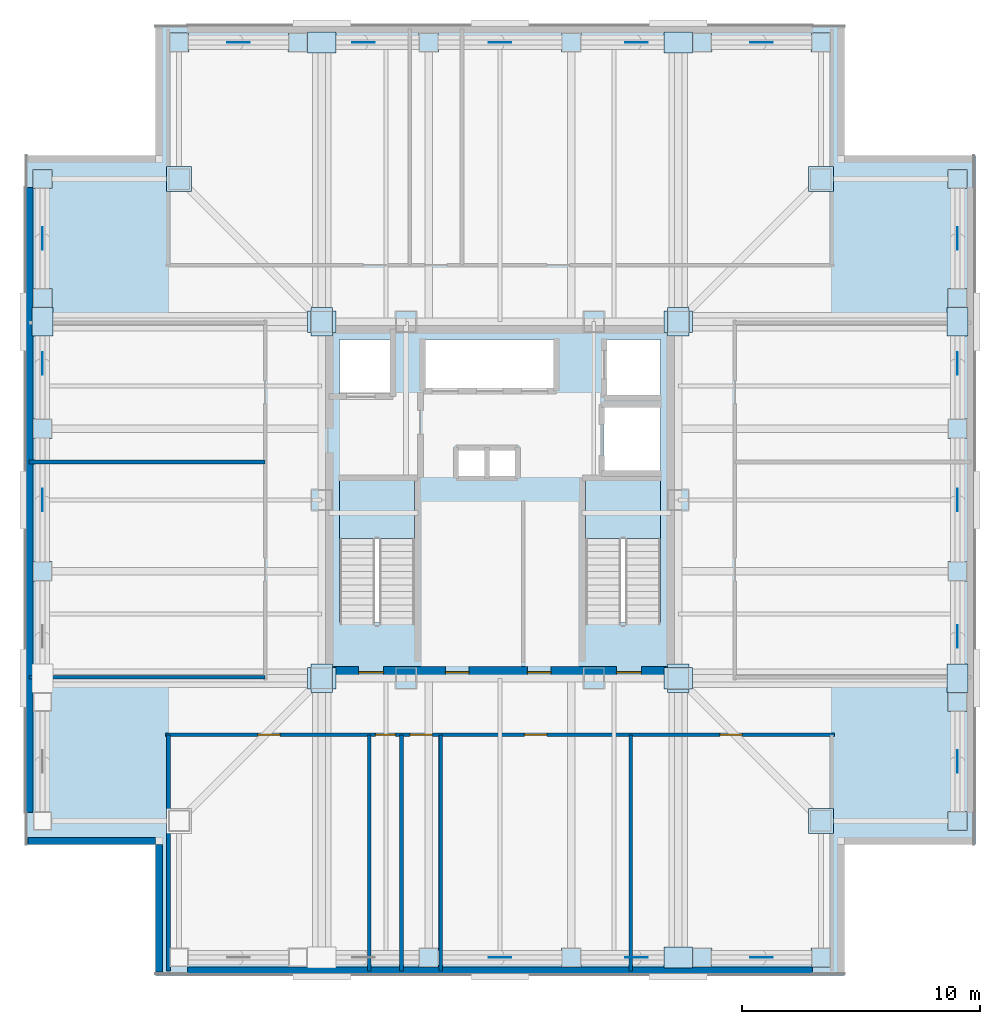
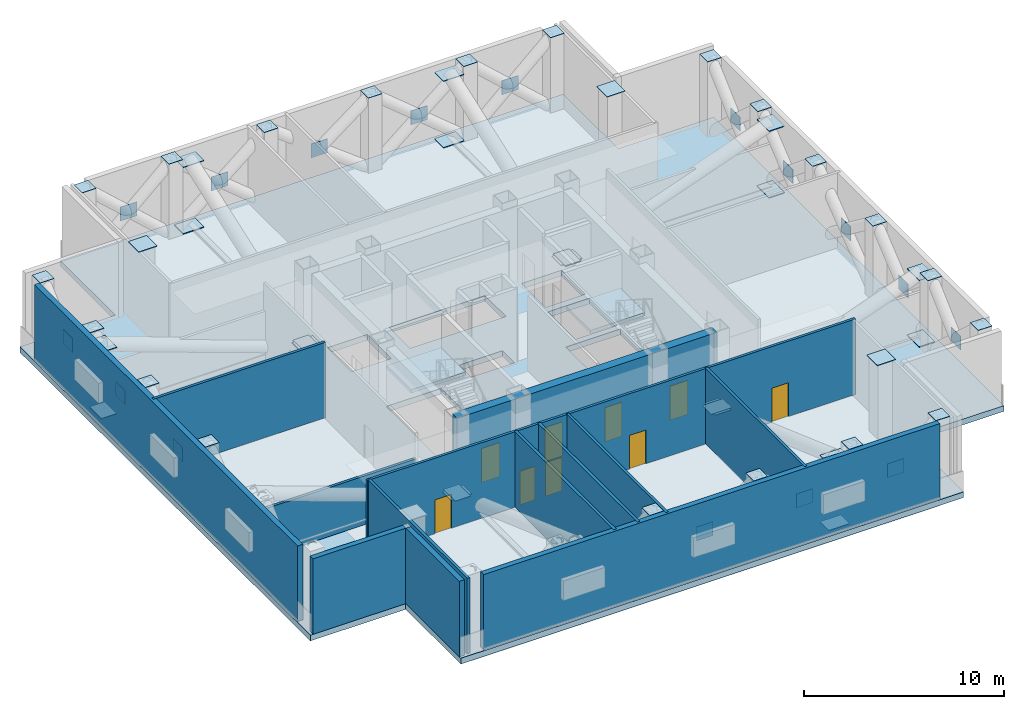
# One storey, part 3 of 10: 59 plates, 13 walls, 9 doors, 3 slabs, 9 openings, 2 elements without a shape of their own.
"""IFC4 building model written with IfcOpenShell, lengths in metres."""

from ifc_helpers import new_model, si_unit, direction, frame, frame_2d, origin, origin_2d, place, context, subcontext, project, spatial, polyline, rectangle, outline, extrude, material, layer, layer_set, type_object, element, fill, aggregate, save


model = new_model("IFC4")

# Units and contexts
model_context = context("Model", 3, precision=1e-05, world=origin(), true_north=direction((0.0, 1.0)))
body_context = subcontext(model_context, "Body", "Model", "MODEL_VIEW")
ifc_project = project(units=[si_unit("LENGTHUNIT", "METRE"), si_unit("AREAUNIT", "SQUARE_METRE"), si_unit("VOLUMEUNIT", "CUBIC_METRE"), si_unit("PLANEANGLEUNIT", "RADIAN"), si_unit("MASSUNIT", "GRAM", prefix="KILO")], contexts=[model_context])

# Site, building, storey
site_placement = place(None, origin())
site = spatial("IfcSite", under=ifc_project, at=site_placement, CompositionType="ELEMENT")
building_placement = place(site_placement, origin())
building = spatial("IfcBuilding", under=site, at=building_placement, Name="Trevonay Congress Spire", CompositionType="ELEMENT")
storey_placement = place(building_placement, frame((0.0, 0.0, 227.39990234375)))
storey = spatial("IfcBuildingStorey", under=building, at=storey_placement, Name="L59", CompositionType="ELEMENT", Elevation=227.39990234375)

# Plates
ifc_material_1 = material(Name="Steel ASTM A572 Grade 50", Category="steel")
ifc_layer_1 = layer(ifc_material_1, 0.034912109375, Name="Steel ASTM A572 Grade 50")
ifc_layer_set_1 = layer_set([ifc_layer_1], Name="Steel ASTM A572 Grade 50")
plate_type_1 = type_object("IfcPlateType", Name="PLT-ENDCAP-EXT-105", PredefinedType="USERDEFINED", material=ifc_layer_set_1)
for number, where, z_axis, x_axis, name in (
    (1, (13.5, -13.5, 4.58251953125), (0.0, 0.0, 1.0), (1.0, 0.0, 0.0), "L59 hollow column end-cap plate at NC-SE"),
    (2, (13.5, 13.5, 4.58251953125), (0.0, 0.0, 1.0), (1.0, 0.0, 0.0), "L59 hollow column end-cap plate at NC-NE"),
    (3, (-13.5, 13.5, 4.58251953125), (0.0, 0.0, 1.0), (1.0, 0.0, 0.0), "L59 hollow column end-cap plate at NC-NW"),
):
    element("IfcPlate", number, at=place(storey_placement, frame(where, z_axis=z_axis, x_axis=x_axis)), inside=storey, type_object=plate_type_1, Name=name, ObjectType="CAP_PLATE", PredefinedType="USERDEFINED", context=body_context, shape_type="SweptSolid", body=[
        extrude(rectangle(XDim=1.050048828125, YDim=1.050048828125, at=origin_2d()), origin(), (0.0, 0.0, 1.0), 0.034912109375),
    ])
ifc_layer_2 = layer(ifc_material_1, 0.030029296875, Name="Steel ASTM A572 Grade 50")
ifc_layer_set_2 = layer_set([ifc_layer_2], Name="Steel ASTM A572 Grade 50")
plate_type_2 = type_object("IfcPlateType", Name="PLT-ENDCAP-EXT-80", PredefinedType="USERDEFINED", material=ifc_layer_set_2)
for number, where, z_axis, x_axis, name in (
    (4, (-13.5, 19.25, 4.5849609375), (0.0, 0.0, 1.0), (1.0, 0.0, 0.0), "L59 hollow column end-cap plate at TN-1"),
    (5, (19.25, -13.5, 4.5849609375), (0.0, 0.0, 1.0), (1.0, 0.0, 0.0), "L59 hollow column end-cap plate at TE-1"),
    (6, (-8.5, 19.25, 4.5849609375), (0.0, 0.0, 1.0), (1.0, 0.0, 0.0), "L59 hollow column end-cap plate at TN-2"),
    (7, (19.25, -8.5, 4.5849609375), (0.0, 0.0, 1.0), (1.0, 0.0, 0.0), "L59 hollow column end-cap plate at TE-2"),
    (8, (-3.0, -19.25, 4.5849609375), (0.0, 0.0, 1.0), (1.0, 0.0, 0.0), "L59 hollow column end-cap plate at TS-3"),
    (9, (-3.0, 19.25, 4.5849609375), (0.0, 0.0, 1.0), (1.0, 0.0, 0.0), "L59 hollow column end-cap plate at TN-3"),
    (10, (-19.25, -3.0, 4.5849609375), (0.0, 0.0, 1.0), (1.0, 0.0, 0.0), "L59 hollow column end-cap plate at TW-3"),
    (11, (19.25, -3.0, 4.5849609375), (0.0, 0.0, 1.0), (1.0, 0.0, 0.0), "L59 hollow column end-cap plate at TE-3"),
    (12, (3.0, -19.25, 4.5849609375), (0.0, 0.0, 1.0), (1.0, 0.0, 0.0), "L59 hollow column end-cap plate at TS-4"),
    (13, (3.0, 19.25, 4.5849609375), (0.0, 0.0, 1.0), (1.0, 0.0, 0.0), "L59 hollow column end-cap plate at TN-4"),
    (14, (-19.25, 3.0, 4.5849609375), (0.0, 0.0, 1.0), (1.0, 0.0, 0.0), "L59 hollow column end-cap plate at TW-4"),
    (15, (19.25, 3.0, 4.5849609375), (0.0, 0.0, 1.0), (1.0, 0.0, 0.0), "L59 hollow column end-cap plate at TE-4"),
    (16, (8.5, -19.25, 4.5849609375), (0.0, 0.0, 1.0), (1.0, 0.0, 0.0), "L59 hollow column end-cap plate at TS-5"),
    (17, (8.5, 19.25, 4.5849609375), (0.0, 0.0, 1.0), (1.0, 0.0, 0.0), "L59 hollow column end-cap plate at TN-5"),
    (18, (-19.25, 8.5, 4.5849609375), (0.0, 0.0, 1.0), (1.0, 0.0, 0.0), "L59 hollow column end-cap plate at TW-5"),
    (19, (19.25, 8.5, 4.5849609375), (0.0, 0.0, 1.0), (1.0, 0.0, 0.0), "L59 hollow column end-cap plate at TE-5"),
    (20, (13.5, -19.25, 4.5849609375), (0.0, 0.0, 1.0), (1.0, 0.0, 0.0), "L59 hollow column end-cap plate at TS-6"),
    (21, (13.5, 19.25, 4.5849609375), (0.0, 0.0, 1.0), (1.0, 0.0, 0.0), "L59 hollow column end-cap plate at TN-6"),
    (22, (-19.25, 13.5, 4.5849609375), (0.0, 0.0, 1.0), (1.0, 0.0, 0.0), "L59 hollow column end-cap plate at TW-6"),
    (23, (19.25, 13.5, 4.5849609375), (0.0, 0.0, 1.0), (1.0, 0.0, 0.0), "L59 hollow column end-cap plate at TE-6"),
):
    element("IfcPlate", number, at=place(storey_placement, frame(where, z_axis=z_axis, x_axis=x_axis)), inside=storey, type_object=plate_type_2, Name=name, ObjectType="CAP_PLATE", PredefinedType="USERDEFINED", context=body_context, shape_type="SweptSolid", body=[
        extrude(rectangle(XDim=0.800048828125, YDim=0.800048828125, at=origin_2d()), origin(), (0.0, 0.0, 1.0), 0.030029296875),
    ])
ifc_layer_3 = layer(ifc_material_1, 0.034912109375, Name="Steel ASTM A572 Grade 50")
ifc_layer_set_3 = layer_set([ifc_layer_3], Name="Steel ASTM A572 Grade 50")
plate_type_3 = type_object("IfcPlateType", Name="PLT-GUSSET-BELT-35", PredefinedType="USERDEFINED", material=ifc_layer_set_3)
for number, where, z_axis, x_axis, name in (
    (24, (0.0, -19.25, 1.800048828125), (0.0, 0.0, 1.0), (1.0, 0.0, 0.0), "L59 belt X-brace crossing gusset plate XN-01 S2"),
    (25, (5.75, -19.25, 1.800048828125), (0.0, 0.0, 1.0), (1.0, 0.0, 0.0), "L59 belt X-brace crossing gusset plate XN-01 S3"),
    (26, (11.0, -19.25, 1.800048828125), (0.0, 0.0, 1.0), (1.0, 0.0, 0.0), "L59 belt X-brace crossing gusset plate XN-01 S4"),
    (27, (-11.0, 19.25, 1.800048828125), (0.0, 0.0, 1.0), (1.0, 0.0, 0.0), "L59 belt X-brace crossing gusset plate XN-01 N0"),
    (28, (-5.75, 19.25, 1.800048828125), (0.0, 0.0, 1.0), (1.0, 0.0, 0.0), "L59 belt X-brace crossing gusset plate XN-01 N1"),
    (29, (0.0, 19.25, 1.800048828125), (0.0, 0.0, 1.0), (1.0, 0.0, 0.0), "L59 belt X-brace crossing gusset plate XN-01 N2"),
    (30, (5.75, 19.25, 1.800048828125), (0.0, 0.0, 1.0), (1.0, 0.0, 0.0), "L59 belt X-brace crossing gusset plate XN-01 N3"),
    (31, (11.0, 19.25, 1.800048828125), (0.0, 0.0, 1.0), (1.0, 0.0, 0.0), "L59 belt X-brace crossing gusset plate XN-01 N4"),
):
    element("IfcPlate", number, at=place(storey_placement, frame(where, z_axis=z_axis, x_axis=x_axis)), inside=storey, type_object=plate_type_3, Name=name, ObjectType="GUSSET_PLATE", PredefinedType="USERDEFINED", context=body_context, shape_type="SweptSolid", body=[
        extrude(rectangle(XDim=0.949951171875, YDim=0.034912109375, at=origin_2d()), origin(), (0.0, 0.0, 1.0), 0.85009765625),
    ])
for number, where, z_axis, x_axis, name in (
    (32, (-19.25, 0.0, 1.800048828125), (0.0, 0.0, 1.0), (1.0, 0.0, 0.0), "L59 belt X-brace crossing gusset plate XN-01 W2"),
    (33, (-19.25, 5.75, 1.800048828125), (0.0, 0.0, 1.0), (1.0, 0.0, 0.0), "L59 belt X-brace crossing gusset plate XN-01 W3"),
    (34, (-19.25, 11.0, 1.800048828125), (0.0, 0.0, 1.0), (1.0, 0.0, 0.0), "L59 belt X-brace crossing gusset plate XN-01 W4"),
    (35, (19.25, -11.0, 1.800048828125), (0.0, 0.0, 1.0), (1.0, 0.0, 0.0), "L59 belt X-brace crossing gusset plate XN-01 E0"),
    (36, (19.25, -5.75, 1.800048828125), (0.0, 0.0, 1.0), (1.0, 0.0, 0.0), "L59 belt X-brace crossing gusset plate XN-01 E1"),
    (37, (19.25, 0.0, 1.800048828125), (0.0, 0.0, 1.0), (1.0, 0.0, 0.0), "L59 belt X-brace crossing gusset plate XN-01 E2"),
    (38, (19.25, 5.75, 1.800048828125), (0.0, 0.0, 1.0), (1.0, 0.0, 0.0), "L59 belt X-brace crossing gusset plate XN-01 E3"),
    (39, (19.25, 11.0, 1.800048828125), (0.0, 0.0, 1.0), (1.0, 0.0, 0.0), "L59 belt X-brace crossing gusset plate XN-01 E4"),
):
    element("IfcPlate", number, at=place(storey_placement, frame(where, z_axis=z_axis, x_axis=x_axis)), inside=storey, type_object=plate_type_3, Name=name, ObjectType="GUSSET_PLATE", PredefinedType="USERDEFINED", context=body_context, shape_type="SweptSolid", body=[
        extrude(rectangle(XDim=0.034912109375, YDim=0.949951171875, at=origin_2d()), origin(), (0.0, 0.0, 1.0), 0.85009765625),
    ])
ifc_layer_4 = layer(ifc_material_1, 0.044921875, Name="Steel ASTM A572 Grade 50")
ifc_layer_set_4 = layer_set([ifc_layer_4], Name="Steel ASTM A572 Grade 50")
plate_type_4 = type_object("IfcPlateType", Name="PLT-GUSSET-INT-45", PredefinedType="USERDEFINED", material=ifc_layer_set_4)
for number, where, z_axis, x_axis, name in (
    (40, (-7.5, -7.5, 0.027587890625), (0.0, 0.0, 1.0), (1.0, 0.0, 0.0), "L59 outrigger-to-core cast-in embed gusset plate ON-01 (OS-W)"),
    (41, (7.5, -7.5, 0.027587890625), (0.0, 0.0, 1.0), (1.0, 0.0, 0.0), "L59 outrigger-to-core cast-in embed gusset plate ON-01 (OS-E)"),
    (42, (7.5, -19.25, 0.07763671875), (0.0, 0.0, 1.0), (1.0, 0.0, 0.0), "L59 outrigger outer-chord gusset plate ON-02 (OS-E)"),
    (43, (7.5, -19.25, 4.127685546875), (0.0, 0.0, 1.0), (1.0, 0.0, 0.0), "L59 outrigger outer-diagonal gusset plate ON-02 (OS-E)"),
    (44, (-7.5, 7.5, 0.027587890625), (0.0, 0.0, 1.0), (1.0, 0.0, 0.0), "L59 outrigger-to-core cast-in embed gusset plate ON-01 (ON-W)"),
    (45, (-7.5, 19.25, 0.07763671875), (0.0, 0.0, 1.0), (1.0, 0.0, 0.0), "L59 outrigger outer-chord gusset plate ON-02 (ON-W)"),
    (46, (-7.5, 19.25, 4.127685546875), (0.0, 0.0, 1.0), (1.0, 0.0, 0.0), "L59 outrigger outer-diagonal gusset plate ON-02 (ON-W)"),
    (47, (7.5, 7.5, 0.027587890625), (0.0, 0.0, 1.0), (1.0, 0.0, 0.0), "L59 outrigger-to-core cast-in embed gusset plate ON-01 (ON-E)"),
    (48, (7.5, 19.25, 0.07763671875), (0.0, 0.0, 1.0), (1.0, 0.0, 0.0), "L59 outrigger outer-chord gusset plate ON-02 (ON-E)"),
    (49, (7.5, 19.25, 4.127685546875), (0.0, 0.0, 1.0), (1.0, 0.0, 0.0), "L59 outrigger outer-diagonal gusset plate ON-02 (ON-E)"),
    (50, (-7.5, -7.5, 0.027587890625), (0.0, 0.0, 1.0), (0.0, 1.0, 0.0), "L59 outrigger-to-core cast-in embed gusset plate ON-01 (OW-S)"),
    (51, (-7.5, 7.5, 0.027587890625), (0.0, 0.0, 1.0), (0.0, 1.0, 0.0), "L59 outrigger-to-core cast-in embed gusset plate ON-01 (OW-N)"),
    (52, (-19.25, 7.5, 0.07763671875), (0.0, 0.0, 1.0), (0.0, 1.0, 0.0), "L59 outrigger outer-chord gusset plate ON-02 (OW-N)"),
    (53, (-19.25, 7.5, 4.127685546875), (0.0, 0.0, 1.0), (0.0, 1.0, 0.0), "L59 outrigger outer-diagonal gusset plate ON-02 (OW-N)"),
    (54, (7.5, -7.5, 0.027587890625), (0.0, 0.0, 1.0), (0.0, 1.0, 0.0), "L59 outrigger-to-core cast-in embed gusset plate ON-01 (OE-S)"),
    (55, (19.25, -7.5, 0.07763671875), (0.0, 0.0, 1.0), (0.0, 1.0, 0.0), "L59 outrigger outer-chord gusset plate ON-02 (OE-S)"),
    (56, (19.25, -7.5, 4.127685546875), (0.0, 0.0, 1.0), (0.0, 1.0, 0.0), "L59 outrigger outer-diagonal gusset plate ON-02 (OE-S)"),
    (57, (7.5, 7.5, 0.027587890625), (0.0, 0.0, 1.0), (0.0, 1.0, 0.0), "L59 outrigger-to-core cast-in embed gusset plate ON-01 (OE-N)"),
    (58, (19.25, 7.5, 0.07763671875), (0.0, 0.0, 1.0), (0.0, 1.0, 0.0), "L59 outrigger outer-chord gusset plate ON-02 (OE-N)"),
    (59, (19.25, 7.5, 4.127685546875), (0.0, 0.0, 1.0), (0.0, 1.0, 0.0), "L59 outrigger outer-diagonal gusset plate ON-02 (OE-N)"),
):
    element("IfcPlate", number, at=place(storey_placement, frame(where, z_axis=z_axis, x_axis=x_axis)), inside=storey, type_object=plate_type_4, Name=name, ObjectType="GUSSET_PLATE", PredefinedType="USERDEFINED", context=body_context, shape_type="SweptSolid", body=[
        extrude(rectangle(XDim=1.199951171875, YDim=0.89990234375, at=origin_2d()), origin(), (0.0, 0.0, 1.0), 0.044921875),
    ])

# Slab
ifc_material_2 = material(Name="Concrete C40/50", Category="concrete")
ifc_layer_5 = layer(ifc_material_2, 0.35009765625, Name="Concrete C40/50")
ifc_layer_set_5 = layer_set([ifc_layer_5], Name="Concrete C40/50")
slab_type_1 = type_object("IfcSlabType", Name="SLB-POD-350", PredefinedType="FLOOR", material=ifc_layer_set_5)
slab_1_placement = place(storey_placement, frame((0.0, 0.0, -0.349853515625)))
element("IfcSlab", 60, at=slab_1_placement, inside=storey, type_object=slab_type_1, Name="L59 structural floor slab", PredefinedType="FLOOR", context=body_context, shape_type="SweptSolid", body=[
    extrude(outline(polyline([(-14.5, -20.0), (14.5, -20.0), (14.5, -14.5), (20.0, -14.5), (20.0, 14.5), (14.5, 14.5), (14.5, 20.0), (-14.5, 20.0), (-14.5, 14.5), (-20.0, 14.5), (-20.0, -14.5), (-14.5, -14.5), (-14.5, -20.0)]), holes=[polyline([(-3.60009765625, -5.14990234375), (-3.60009765625, 0.85009765625), (-6.75, 0.85009765625), (-6.75, -5.14990234375), (-3.60009765625, -5.14990234375)]), polyline([(6.75, -5.14990234375), (6.75, 0.85009765625), (3.60009765625, 0.85009765625), (3.60009765625, -5.14990234375), (6.75, -5.14990234375)]), polyline([(-3.199951171875, 4.64990234375), (2.340087890625, 4.64990234375), (2.340087890625, 6.75), (-3.199951171875, 6.75), (-3.199951171875, 4.64990234375)]), polyline([(-6.75, 4.35009765625), (-4.449951171875, 4.35009765625), (-4.449951171875, 6.75), (-6.75, 6.75), (-6.75, 4.35009765625)]), polyline([(4.449951171875, 4.35009765625), (6.75, 4.35009765625), (6.75, 6.75), (4.449951171875, 6.75), (4.449951171875, 4.35009765625)]), polyline([(4.35009765625, 1.199951171875), (6.75, 1.199951171875), (6.75, 3.949951171875), (4.35009765625, 3.949951171875), (4.35009765625, 1.199951171875)]), polyline([(-1.800048828125, 0.949951171875), (0.699951171875, 0.949951171875), (0.699951171875, 2.14990234375), (-1.800048828125, 2.14990234375), (-1.800048828125, 0.949951171875)])]), origin(), (0.0, 0.0, 1.0), 0.349853515625),
])

# Stair, slab
stair_type_1 = type_object("IfcStairType", Name="STR-ST-1", PredefinedType="HALF_TURN_STAIR", material=ifc_material_2)
stair_1_placement = place(storey_placement, origin())
stair_1 = element("IfcStair", 61, at=stair_1_placement, inside=storey, type_object=stair_type_1, Name="L59 Protected Exit Stair ST-1", PredefinedType="HALF_TURN_STAIR")
ifc_layer_6 = layer(ifc_material_2, 0.199951171875, Name="Concrete C40/50")
ifc_layer_set_6 = layer_set([ifc_layer_6], Name="Concrete C40/50")
slab_type_2 = type_object("IfcSlabType", Name="SLB-STAIR-LAND-200", PredefinedType="LANDING", material=ifc_layer_set_6)
slab_2_placement = place(storey_placement, frame((0.0, 0.0, 2.300048828125)))
slab_2 = element("IfcSlab", 62, at=slab_2_placement, type_object=slab_type_2, Name="ST-1 landing 1", PredefinedType="LANDING", context=body_context, shape_type="SweptSolid", body=[
    extrude(outline(polyline([(-3.60009765625, -1.610107421875), (-3.60009765625, 0.85009765625), (-6.75, 0.85009765625), (-6.75, -1.610107421875), (-3.60009765625, -1.610107421875)])), origin(), (0.0, 0.0, 1.0), 0.199951171875),
])
aggregate(stair_1, [slab_2])

stair_type_2 = type_object("IfcStairType", Name="STR-ST-2", PredefinedType="HALF_TURN_STAIR", material=ifc_material_2)
stair_2_placement = place(storey_placement, origin())
stair_2 = element("IfcStair", 63, at=stair_2_placement, inside=storey, type_object=stair_type_2, Name="L59 Protected Exit Stair ST-2", PredefinedType="HALF_TURN_STAIR")
slab_3_placement = place(storey_placement, frame((0.0, 0.0, 2.300048828125)))
slab_3 = element("IfcSlab", 64, at=slab_3_placement, type_object=slab_type_2, Name="ST-2 landing 1", PredefinedType="LANDING", context=body_context, shape_type="SweptSolid", body=[
    extrude(outline(polyline([(6.75, -1.610107421875), (6.75, 0.85009765625), (3.60009765625, 0.85009765625), (3.60009765625, -1.610107421875), (6.75, -1.610107421875)])), origin(), (0.0, 0.0, 1.0), 0.199951171875),
])
aggregate(stair_2, [slab_3])

# Wall, openings, doors
ifc_material_3 = material(Name="Concrete C50/60", Category="concrete")
ifc_layer_7 = layer(ifc_material_3, 0.5, Name="Concrete C50/60")
ifc_layer_set_7 = layer_set([ifc_layer_7], Name="Concrete C50/60")
wall_type_1 = type_object("IfcWallType", Name="WAL-CORE-500", PredefinedType="SHEAR", material=ifc_layer_set_7)
wall_1_placement = place(storey_placement, frame((-7.5, -7.25, 0.0), z_axis=(0.0, 0.0, 1.0), x_axis=(1.0, 0.0, 0.0)))
wall_1 = element("IfcWall", 65, at=wall_1_placement, inside=storey, type_object=wall_type_1, Name="L59 South structural core shear wall", PredefinedType="SHEAR", context=body_context, shape_type="SweptSolid", body=[
    extrude(rectangle(XDim=15.0, YDim=0.5, at=frame_2d((7.5, 0.0))), origin(), (0.0, 0.0, 1.0), 4.60009765625),
])
opening_1_placement = place(wall_1_placement, frame((1.550048828125, 0.0, 0.0)))
opening_1 = element("IfcOpeningElement", 66, at=opening_1_placement, cuts=wall_1, Name="Opening D05", PredefinedType="OPENING", context=body_context, shape_type="SweptSolid", body=[
    extrude(rectangle(XDim=1.050048828125, YDim=2.080078125, at=frame_2d((0.52490234375, 1.0400390625))), frame((0.0, 0.260009765625, 0.0), z_axis=(0.0, -1.0, 0.0), x_axis=(1.0, 0.0, 0.0)), (0.0, 0.0, 1.0), 0.52001953125),
])
opening_2_placement = place(wall_1_placement, frame((12.39990234375, 0.0, 0.0)))
opening_2 = element("IfcOpeningElement", 67, at=opening_2_placement, cuts=wall_1, Name="Opening D05", PredefinedType="OPENING", context=body_context, shape_type="SweptSolid", body=[
    extrude(rectangle(XDim=1.050048828125, YDim=2.080078125, at=frame_2d((0.52490234375, 1.0400390625))), frame((0.0, 0.260009765625, 0.0), z_axis=(0.0, -1.0, 0.0), x_axis=(1.0, 0.0, 0.0)), (0.0, 0.0, 1.0), 0.52001953125),
])
opening_3_placement = place(wall_1_placement, frame((5.199951171875, 0.0, 0.0)))
opening_3 = element("IfcOpeningElement", 68, at=opening_3_placement, cuts=wall_1, Name="Opening D06", PredefinedType="OPENING", context=body_context, shape_type="SweptSolid", body=[
    extrude(rectangle(XDim=1.0, YDim=2.080078125, at=frame_2d((0.5, 1.0400390625))), frame((0.0, 0.260009765625, 0.0), z_axis=(0.0, -1.0, 0.0), x_axis=(1.0, 0.0, 0.0)), (0.0, 0.0, 1.0), 0.52001953125),
])
opening_4_placement = place(wall_1_placement, frame((8.64990234375, 0.0, 0.0)))
opening_4 = element("IfcOpeningElement", 69, at=opening_4_placement, cuts=wall_1, Name="Opening D06", PredefinedType="OPENING", context=body_context, shape_type="SweptSolid", body=[
    extrude(rectangle(XDim=1.0, YDim=2.080078125, at=frame_2d((0.5, 1.0400390625))), frame((0.0, 0.260009765625, 0.0), z_axis=(0.0, -1.0, 0.0), x_axis=(1.0, 0.0, 0.0)), (0.0, 0.0, 1.0), 0.52001953125),
])
door_type_1 = type_object("IfcDoorType", Name="DOR-FIRE-100", OperationType="NOTDEFINED", PredefinedType="DOOR", material=ifc_material_1)
door_1_placement = place(opening_3_placement, origin())
door_1 = element("IfcDoor", 70, at=door_1_placement, inside=storey, type_object=door_type_1, Name="L59 South Core Room 1 Door", OperationType="SINGLE_SWING_LEFT", OverallHeight=2.080078125, OverallWidth=1.0, PredefinedType="DOOR", context=body_context, shape_type="SweptSolid", body=[
    extrude(rectangle(XDim=1.0, YDim=2.080078125, at=frame_2d((0.5, 1.0400390625))), frame((0.0, 0.02490234375, 0.0), z_axis=(0.0, -1.0, 0.0), x_axis=(1.0, 0.0, 0.0)), (0.0, 0.0, 1.0), 0.050048828125),
])
fill(opening_3, door_1)
door_2_placement = place(opening_4_placement, origin())
door_2 = element("IfcDoor", 71, at=door_2_placement, inside=storey, type_object=door_type_1, Name="L59 South Core Room 2 Door", OperationType="SINGLE_SWING_RIGHT", OverallHeight=2.080078125, OverallWidth=1.0, PredefinedType="DOOR", context=body_context, shape_type="SweptSolid", body=[
    extrude(rectangle(XDim=1.0, YDim=2.080078125, at=frame_2d((0.5, 1.0400390625))), frame((0.0, 0.02490234375, 0.0), z_axis=(0.0, -1.0, 0.0), x_axis=(1.0, 0.0, 0.0)), (0.0, 0.0, 1.0), 0.050048828125),
])
fill(opening_4, door_2)
door_type_2 = type_object("IfcDoorType", Name="DOR-STAIR-110", OperationType="NOTDEFINED", PredefinedType="DOOR", material=ifc_material_1)
door_3_placement = place(opening_1_placement, origin())
door_3 = element("IfcDoor", 72, at=door_3_placement, inside=storey, type_object=door_type_2, Name="L59 Protected Stair ST-1 Door", OperationType="SINGLE_SWING_RIGHT", OverallHeight=2.080078125, OverallWidth=1.050048828125, PredefinedType="DOOR", context=body_context, shape_type="SweptSolid", body=[
    extrude(rectangle(XDim=1.050048828125, YDim=2.080078125, at=frame_2d((0.52490234375, 1.0400390625))), frame((0.0, 0.02490234375, 0.0), z_axis=(0.0, -1.0, 0.0), x_axis=(1.0, 0.0, 0.0)), (0.0, 0.0, 1.0), 0.050048828125),
])
fill(opening_1, door_3)
door_4_placement = place(opening_2_placement, origin())
door_4 = element("IfcDoor", 73, at=door_4_placement, inside=storey, type_object=door_type_2, Name="L59 Protected Stair ST-2 Door", OperationType="SINGLE_SWING_LEFT", OverallHeight=2.080078125, OverallWidth=1.050048828125, PredefinedType="DOOR", context=body_context, shape_type="SweptSolid", body=[
    extrude(rectangle(XDim=1.050048828125, YDim=2.080078125, at=frame_2d((0.52490234375, 1.0400390625))), frame((0.0, 0.02490234375, 0.0), z_axis=(0.0, -1.0, 0.0), x_axis=(1.0, 0.0, 0.0)), (0.0, 0.0, 1.0), 0.050048828125),
])
fill(opening_2, door_4)

ifc_layer_8 = layer(ifc_material_2, 0.14990234375, Name="Concrete C40/50")
ifc_layer_set_8 = layer_set([ifc_layer_8], Name="Concrete C40/50")
wall_type_2 = type_object("IfcWallType", Name="WAL-CORR-150", PredefinedType="PARTITIONING", material=ifc_layer_set_8)
wall_2_placement = place(storey_placement, frame((-14.070068359375, -9.8798828125, 0.0), z_axis=(0.0, 0.0, 1.0), x_axis=(1.0, 0.0, 0.0)))
wall_2 = element("IfcWall", 74, at=wall_2_placement, inside=storey, type_object=wall_type_2, Name="L59 interior wall WP-L59S-COR", PredefinedType="PARTITIONING", context=body_context, shape_type="SweptSolid", body=[
    extrude(rectangle(XDim=28.14013671875, YDim=0.14990234375, at=frame_2d((14.070068359375, 0.0))), origin(), (0.0, 0.0, 1.0), 4.60009765625),
])
opening_5_placement = place(wall_2_placement, frame((3.8701171875, 0.0, 0.0)))
opening_5 = element("IfcOpeningElement", 75, at=opening_5_placement, cuts=wall_2, Name="Opening D07", PredefinedType="OPENING", context=body_context, shape_type="SweptSolid", body=[
    extrude(rectangle(XDim=0.949951171875, YDim=2.06005859375, at=frame_2d((0.47509765625, 1.030029296875))), frame((0.0, 0.0849609375, 0.0), z_axis=(0.0, -1.0, 0.0), x_axis=(1.0, 0.0, 0.0)), (0.0, 0.0, 1.0), 0.169921875),
])
opening_6_placement = place(wall_2_placement, frame((8.824951171875, 0.0, 0.0)))
opening_6 = element("IfcOpeningElement", 76, at=opening_6_placement, cuts=wall_2, Name="Opening D10", PredefinedType="OPENING", context=body_context, shape_type="SweptSolid", body=[
    extrude(rectangle(XDim=0.85009765625, YDim=2.050048828125, at=frame_2d((0.425048828125, 1.02490234375))), frame((0.0, 0.0849609375, 0.0), z_axis=(0.0, -1.0, 0.0), x_axis=(1.0, 0.0, 0.0)), (0.0, 0.0, 1.0), 0.169921875),
])
opening_7_placement = place(wall_2_placement, frame((10.27490234375, 0.0, 0.0)))
opening_7 = element("IfcOpeningElement", 77, at=opening_7_placement, cuts=wall_2, Name="Opening D07", PredefinedType="OPENING", context=body_context, shape_type="SweptSolid", body=[
    extrude(rectangle(XDim=0.949951171875, YDim=2.06005859375, at=frame_2d((0.47509765625, 1.030029296875))), frame((0.0, 0.0849609375, 0.0), z_axis=(0.0, -1.0, 0.0), x_axis=(1.0, 0.0, 0.0)), (0.0, 0.0, 1.0), 0.169921875),
])
opening_8_placement = place(wall_2_placement, frame((15.094970703125, 0.0, 0.0)))
opening_8 = element("IfcOpeningElement", 78, at=opening_8_placement, cuts=wall_2, Name="Opening D07", PredefinedType="OPENING", context=body_context, shape_type="SweptSolid", body=[
    extrude(rectangle(XDim=0.949951171875, YDim=2.06005859375, at=frame_2d((0.47509765625, 1.030029296875))), frame((0.0, 0.0849609375, 0.0), z_axis=(0.0, -1.0, 0.0), x_axis=(1.0, 0.0, 0.0)), (0.0, 0.0, 1.0), 0.169921875),
])
opening_9_placement = place(wall_2_placement, frame((23.320068359375, 0.0, 0.0)))
opening_9 = element("IfcOpeningElement", 79, at=opening_9_placement, cuts=wall_2, Name="Opening D07", PredefinedType="OPENING", context=body_context, shape_type="SweptSolid", body=[
    extrude(rectangle(XDim=0.949951171875, YDim=2.06005859375, at=frame_2d((0.47509765625, 1.030029296875))), frame((0.0, 0.0849609375, 0.0), z_axis=(0.0, -1.0, 0.0), x_axis=(1.0, 0.0, 0.0)), (0.0, 0.0, 1.0), 0.169921875),
])
ifc_material_4 = material(Name="Pale Anodised Aluminium EN AW-6063-T6", Category="aluminium")
door_type_3 = type_object("IfcDoorType", Name="DOR-OFFICE-95", OperationType="NOTDEFINED", PredefinedType="DOOR", material=ifc_material_4)
door_5_placement = place(opening_5_placement, origin())
door_5 = element("IfcDoor", 80, at=door_5_placement, inside=storey, type_object=door_type_3, Name="L59 Chiller and Heat-Pump Plant Door", OperationType="SINGLE_SWING_RIGHT", OverallHeight=2.06005859375, OverallWidth=0.949951171875, PredefinedType="DOOR", context=body_context, shape_type="SweptSolid", body=[
    extrude(rectangle(XDim=0.949951171875, YDim=2.06005859375, at=frame_2d((0.47509765625, 1.030029296875))), frame((0.0, 0.02490234375, 0.0), z_axis=(0.0, -1.0, 0.0), x_axis=(1.0, 0.0, 0.0)), (0.0, 0.0, 1.0), 0.050048828125),
])
fill(opening_5, door_5)
door_6_placement = place(opening_7_placement, origin())
door_6 = element("IfcDoor", 81, at=door_6_placement, inside=storey, type_object=door_type_3, Name="L59 Floor Supplies and Copy Room Door", OperationType="SINGLE_SWING_RIGHT", OverallHeight=2.06005859375, OverallWidth=0.949951171875, PredefinedType="DOOR", context=body_context, shape_type="SweptSolid", body=[
    extrude(rectangle(XDim=0.949951171875, YDim=2.06005859375, at=frame_2d((0.47509765625, 1.030029296875))), frame((0.0, 0.02490234375, 0.0), z_axis=(0.0, -1.0, 0.0), x_axis=(1.0, 0.0, 0.0)), (0.0, 0.0, 1.0), 0.050048828125),
])
fill(opening_7, door_6)
door_7_placement = place(opening_8_placement, origin())
door_7 = element("IfcDoor", 82, at=door_7_placement, inside=storey, type_object=door_type_3, Name="L59 Primary AHU Supply Plant Door", OperationType="SINGLE_SWING_LEFT", OverallHeight=2.06005859375, OverallWidth=0.949951171875, PredefinedType="DOOR", context=body_context, shape_type="SweptSolid", body=[
    extrude(rectangle(XDim=0.949951171875, YDim=2.06005859375, at=frame_2d((0.47509765625, 1.030029296875))), frame((0.0, 0.02490234375, 0.0), z_axis=(0.0, -1.0, 0.0), x_axis=(1.0, 0.0, 0.0)), (0.0, 0.0, 1.0), 0.050048828125),
])
fill(opening_8, door_7)
door_8_placement = place(opening_9_placement, origin())
door_8 = element("IfcDoor", 83, at=door_8_placement, inside=storey, type_object=door_type_3, Name="L59 Heat-Recovery Exhaust Plant Door", OperationType="SINGLE_SWING_RIGHT", OverallHeight=2.06005859375, OverallWidth=0.949951171875, PredefinedType="DOOR", context=body_context, shape_type="SweptSolid", body=[
    extrude(rectangle(XDim=0.949951171875, YDim=2.06005859375, at=frame_2d((0.47509765625, 1.030029296875))), frame((0.0, 0.02490234375, 0.0), z_axis=(0.0, -1.0, 0.0), x_axis=(1.0, 0.0, 0.0)), (0.0, 0.0, 1.0), 0.050048828125),
])
fill(opening_9, door_8)
door_type_4 = type_object("IfcDoorType", Name="DOR-WC-85", OperationType="NOTDEFINED", PredefinedType="DOOR", material=ifc_material_4)
door_9_placement = place(opening_6_placement, origin())
door_9 = element("IfcDoor", 84, at=door_9_placement, inside=storey, type_object=door_type_4, Name="L59 Accessible Refuge WC Door", OperationType="SINGLE_SWING_LEFT", OverallHeight=2.050048828125, OverallWidth=0.85009765625, PredefinedType="DOOR", context=body_context, shape_type="SweptSolid", body=[
    extrude(rectangle(XDim=0.85009765625, YDim=2.050048828125, at=frame_2d((0.425048828125, 1.02490234375))), frame((0.0, 0.02490234375, 0.0), z_axis=(0.0, -1.0, 0.0), x_axis=(1.0, 0.0, 0.0)), (0.0, 0.0, 1.0), 0.050048828125),
])
fill(opening_6, door_9)

# Walls
ifc_material_5 = material(Name="Precast concrete C40/50", Category="concrete")
ifc_layer_9 = layer(ifc_material_5, 0.300048828125, Name="Precast concrete C40/50")
ifc_layer_set_9 = layer_set([ifc_layer_9], Name="Precast concrete C40/50")
wall_type_3 = type_object("IfcWallType", Name="WAL-EXT-PRECAST-300", PredefinedType="SOLIDWALL", material=ifc_layer_set_9)
for number, where, z_axis, x_axis, name in (
    (85, (-13.14990234375, -19.800048828125, 0.0), (0.0, 0.0, 1.0), (1.0, 0.0, 0.0), "L59 S outrigger plant backup wall"),
    (86, (-19.800048828125, -13.14990234375, 0.0), (0.0, 0.0, 1.0), (0.0, 1.0, 0.0), "L59 W outrigger plant backup wall"),
):
    element("IfcWall", number, at=place(storey_placement, frame(where, z_axis=z_axis, x_axis=x_axis)), inside=storey, type_object=wall_type_3, Name=name, PredefinedType="SOLIDWALL", context=body_context, shape_type="SweptSolid", body=[
        extrude(rectangle(XDim=26.2998046875, YDim=0.300048828125, at=frame_2d((13.14990234375, 0.0))), origin(), (0.0, 0.0, 1.0), 4.60009765625),
    ])
for number, where, z_axis, x_axis, name in (
    (87, (-14.35009765625, -19.85009765625, 0.0), (0.0, 0.0, 1.0), (0.0, 1.0, 0.0), "L59 SW plant notch wall 1"),
    (88, (-19.85009765625, -14.35009765625, 0.0), (0.0, 0.0, 1.0), (1.0, 0.0, 0.0), "L59 SW plant notch wall 2"),
):
    element("IfcWall", number, at=place(storey_placement, frame(where, z_axis=z_axis, x_axis=x_axis)), inside=storey, type_object=wall_type_3, Name=name, PredefinedType="SOLIDWALL", context=body_context, shape_type="SweptSolid", body=[
        extrude(rectangle(XDim=5.35009765625, YDim=0.300048828125, at=frame_2d((2.675048828125, 0.0))), origin(), (0.0, 0.0, 1.0), 4.60009765625),
    ])
ifc_layer_10 = layer(ifc_material_2, 0.14990234375, Name="Concrete C40/50")
ifc_layer_set_10 = layer_set([ifc_layer_10], Name="Concrete C40/50")
wall_type_4 = type_object("IfcWallType", Name="WAL-PART-150", PredefinedType="PARTITIONING", material=ifc_layer_set_10)
for number, where, z_axis, x_axis, name in (
    (89, (-2.5, -19.820068359375, 0.0), (0.0, 0.0, 1.0), (0.0, 1.0, 0.0), "L59 interior wall WP-L59S-DIV3"),
    (90, (5.5, -19.820068359375, 0.0), (0.0, 0.0, 1.0), (0.0, 1.0, 0.0), "L59 interior wall WP-L59S-DIV4"),
):
    element("IfcWall", number, at=place(storey_placement, frame(where, z_axis=z_axis, x_axis=x_axis)), inside=storey, type_object=wall_type_4, Name=name, PredefinedType="PARTITIONING", context=body_context, shape_type="SweptSolid", body=[
        extrude(rectangle(XDim=9.940185546875, YDim=0.14990234375, at=frame_2d((4.97021484375, 0.0))), origin(), (0.0, 0.0, 1.0), 4.60009765625),
    ])
wall_3_placement = place(storey_placement, frame((-19.820068359375, -7.449951171875, 0.0), z_axis=(0.0, 0.0, 1.0), x_axis=(1.0, 0.0, 0.0)))
element("IfcWall", 91, at=wall_3_placement, inside=storey, type_object=wall_type_4, Name="L59 interior wall WP-L59W-DIV1", PredefinedType="PARTITIONING", context=body_context, shape_type="SweptSolid", body=[
    extrude(rectangle(XDim=9.940185546875, YDim=0.14990234375, at=frame_2d((4.97021484375, 0.0))), origin(), (0.0, 0.0, 1.0), 2.97509765625),
])
wall_4_placement = place(storey_placement, frame((-19.820068359375, 1.60009765625, 0.0), z_axis=(0.0, 0.0, 1.0), x_axis=(1.0, 0.0, 0.0)))
element("IfcWall", 92, at=wall_4_placement, inside=storey, type_object=wall_type_4, Name="L59 interior wall WP-L59W-DIV2", PredefinedType="PARTITIONING", context=body_context, shape_type="SweptSolid", body=[
    extrude(rectangle(XDim=9.940185546875, YDim=0.14990234375, at=frame_2d((4.97021484375, 0.0))), origin(), (0.0, 0.0, 1.0), 4.60009765625),
])
ifc_layer_11 = layer(ifc_material_2, 0.1650390625, Name="Concrete C40/50")
ifc_layer_set_11 = layer_set([ifc_layer_11], Name="Concrete C40/50")
wall_type_5 = type_object("IfcWallType", Name="WAL-WET-165", PredefinedType="PLUMBINGWALL", material=ifc_layer_set_11)
for number, where, z_axis, x_axis, name in (
    (93, (-4.139892578125, -19.820068359375, 0.0), (0.0, 0.0, 1.0), (0.0, 1.0, 0.0), "L59 interior wall WP-L59S-WCS2"),
    (94, (-13.949951171875, -19.820068359375, 0.0), (0.0, 0.0, 1.0), (0.0, 1.0, 0.0), "L59 interior wall WP-L59S-DIV1"),
    (95, (-5.5, -19.820068359375, 0.0), (0.0, 0.0, 1.0), (0.0, 1.0, 0.0), "L59 interior wall WP-L59S-DIV2"),
):
    element("IfcWall", number, at=place(storey_placement, frame(where, z_axis=z_axis, x_axis=x_axis)), inside=storey, type_object=wall_type_5, Name=name, PredefinedType="PLUMBINGWALL", context=body_context, shape_type="SweptSolid", body=[
        extrude(rectangle(XDim=9.940185546875, YDim=0.1650390625, at=frame_2d((4.97021484375, 0.0))), origin(), (0.0, 0.0, 1.0), 4.60009765625),
    ])

save(model, "model.ifc")
